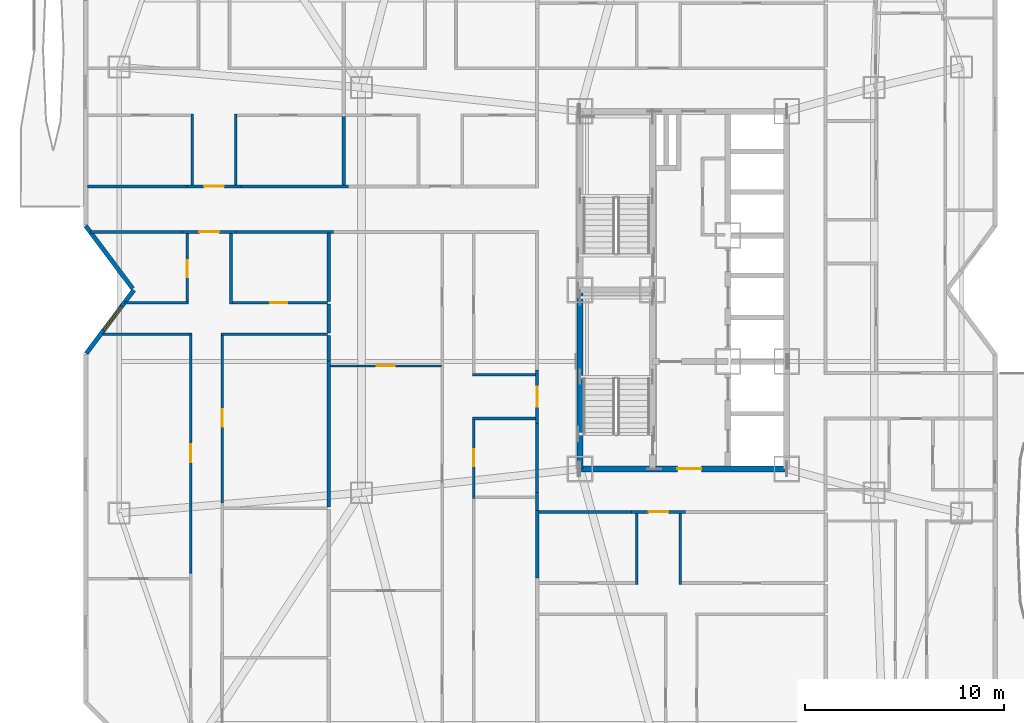
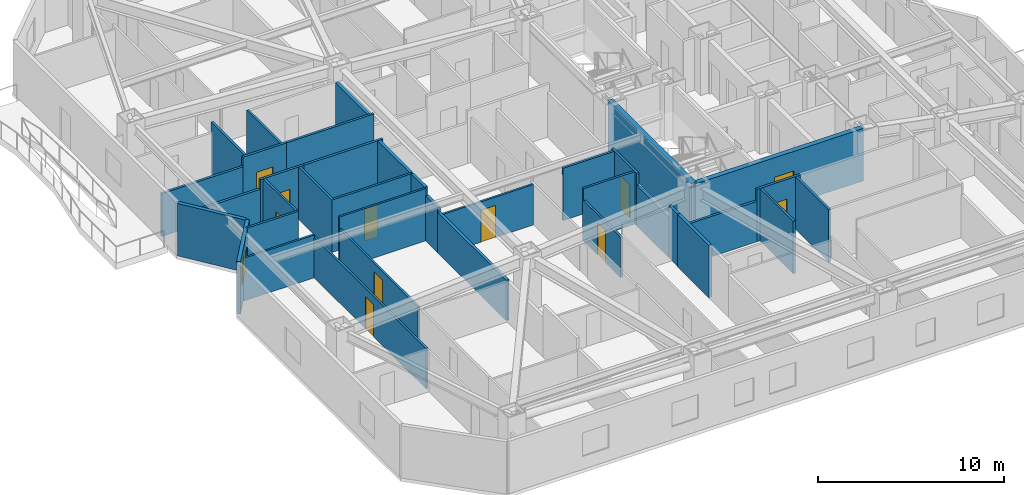
# One storey, part 9 of 16: 37 walls, 11 doors, 1 window, 12 openings.
"""IFC4 building model written with IfcOpenShell, lengths in metres."""

from ifc_helpers import new_model, si_unit, direction, frame, frame_2d, origin, place, context, subcontext, project, spatial, rectangle, extrude, material, layer, layer_set, type_object, element, fill, save


model = new_model("IFC4")

# Units and contexts
model_context = context("Model", 3, precision=1e-05, world=origin(), true_north=direction((0.0, 1.0)))
body_context = subcontext(model_context, "Body", "Model", "MODEL_VIEW")
ifc_project = project(units=[si_unit("LENGTHUNIT", "METRE"), si_unit("AREAUNIT", "SQUARE_METRE"), si_unit("VOLUMEUNIT", "CUBIC_METRE"), si_unit("PLANEANGLEUNIT", "RADIAN"), si_unit("MASSUNIT", "GRAM", prefix="KILO")], contexts=[model_context])

# Site, building, storey
site_placement = place(None, origin())
site = spatial("IfcSite", under=ifc_project, at=site_placement, CompositionType="ELEMENT")
building_placement = place(site_placement, origin())
building = spatial("IfcBuilding", under=site, at=building_placement, Name="Khamvora Tower", CompositionType="ELEMENT")
storey_placement = place(building_placement, frame((0.0, 0.0, 55.199951171875)))
storey = spatial("IfcBuildingStorey", under=building, at=storey_placement, Name="L13", CompositionType="ELEMENT", Elevation=55.199951171875)

# Wall
ifc_material_1 = material(Name="Concrete C50/60", Category="concrete")
ifc_layer_1 = layer(ifc_material_1, 0.300048828125)
ifc_layer_set_1 = layer_set([ifc_layer_1], Name="Concrete C50/60")
wall_type_1 = type_object("IfcWallType", Name="WAL-CORE-300", PredefinedType="SHEAR", material=ifc_layer_set_1)
wall_1_placement = place(storey_placement, frame((29.0, 19.0, 0.0), z_axis=(0.0, 0.0, 1.0), x_axis=(0.0, 1.0, 0.0)))
element("IfcWall", 1, at=wall_1_placement, inside=storey, type_object=wall_type_1, Name="L13 central core west south wall", PredefinedType="SHEAR", context=body_context, shape_type="SweptSolid", body=[
    extrude(rectangle(XDim=9.0, YDim=0.300048828125, at=frame_2d((4.5, 0.0))), origin(), (0.0, 0.0, 1.0), 3.429931640625),
])

# Wall, opening, door
wall_2_placement = place(storey_placement, frame((29.0, 19.0, 0.0), z_axis=(0.0, 0.0, 1.0), x_axis=(1.0, 0.0, 0.0)))
wall_2 = element("IfcWall", 2, at=wall_2_placement, inside=storey, type_object=wall_type_1, Name="L13 central core south wall", PredefinedType="SHEAR", context=body_context, shape_type="SweptSolid", body=[
    extrude(rectangle(XDim=10.39990234375, YDim=0.300048828125, at=frame_2d((5.199951171875, 0.0))), origin(), (0.0, 0.0, 1.0), 3.429931640625),
])
opening_1_placement = place(wall_2_placement, frame((4.89990234375, 0.0, 0.0)))
opening_1 = element("IfcOpeningElement", 3, at=opening_1_placement, cuts=wall_2, Name="Opening D-CR1", PredefinedType="OPENING", context=body_context, shape_type="SweptSolid", body=[
    extrude(rectangle(XDim=1.199951171875, YDim=2.14990234375, at=frame_2d((0.60009765625, 1.074951171875))), frame((0.0, 0.159912109375, 0.0), z_axis=(0.0, -1.0, 0.0), x_axis=(1.0, 0.0, 0.0)), (0.0, 0.0, 1.0), 0.320068359375),
])
ifc_material_2 = material(Name="Powder-Coated Steel and Hardwood Leaf", Category="steel")
door_type_1 = type_object("IfcDoorType", Name="DOR-CORR-1200", OperationType="NOTDEFINED", PredefinedType="DOOR", material=ifc_material_2)
door_1_placement = place(opening_1_placement, origin())
door_1 = element("IfcDoor", 4, at=door_1_placement, inside=storey, type_object=door_type_1, Name="L13 south core lobby to corridor fire door", OperationType="SINGLE_SWING_LEFT", OverallHeight=2.14990234375, OverallWidth=1.199951171875, PredefinedType="DOOR", context=body_context, shape_type="SweptSolid", body=[
    extrude(rectangle(XDim=1.199951171875, YDim=2.14990234375, at=frame_2d((0.60009765625, 1.074951171875))), frame((0.0, 0.02490234375, 0.0), z_axis=(0.0, -1.0, 0.0), x_axis=(1.0, 0.0, 0.0)), (0.0, 0.0, 1.0), 0.050048828125),
])
fill(opening_1, door_1)

ifc_material_3 = material(Name="Fire-Rated Drywall and Steel Stud", Category="steel")
ifc_layer_2 = layer(ifc_material_3, 0.14990234375)
ifc_layer_set_2 = layer_set([ifc_layer_2], Name="Fire-Rated Drywall and Steel Stud")
wall_type_2 = type_object("IfcWallType", Name="WAL-CORR-150", PredefinedType="STANDARD", material=ifc_layer_set_2)
wall_3_placement = place(storey_placement, frame((11.681884765625, 30.93505859375, 0.0), z_axis=(0.0, 0.0, 1.0), x_axis=(-1.0, 0.0, 0.0)))
wall_3 = element("IfcWall", 5, at=wall_3_placement, inside=storey, type_object=wall_type_2, Name="L13 interior partition wall 004", PredefinedType="STANDARD", context=body_context, shape_type="SweptSolid", body=[
    extrude(rectangle(XDim=2.697998046875, YDim=0.14990234375, at=frame_2d((1.34912109375, 0.0))), origin(), (0.0, 0.0, 1.0), 3.429931640625),
])
opening_2_placement = place(wall_3_placement, frame((0.84912109375, 0.0, 0.0)))
opening_2 = element("IfcOpeningElement", 6, at=opening_2_placement, cuts=wall_3, Name="Opening D-U1", PredefinedType="OPENING", context=body_context, shape_type="SweptSolid", body=[
    extrude(rectangle(XDim=1.0, YDim=2.14990234375, at=frame_2d((0.5, 1.074951171875))), frame((0.0, 0.0849609375, 0.0), z_axis=(0.0, -1.0, 0.0), x_axis=(1.0, 0.0, 0.0)), (0.0, 0.0, 1.0), 0.169921875),
])
door_type_2 = type_object("IfcDoorType", Name="DOR-UNIT-1000", OperationType="NOTDEFINED", PredefinedType="DOOR", material=ifc_material_2)
door_2_placement = place(opening_2_placement, origin())
door_2 = element("IfcDoor", 7, at=door_2_placement, inside=storey, type_object=door_type_2, Name="L13 interior door COR-13WA1H", OperationType="SINGLE_SWING_RIGHT", OverallHeight=2.14990234375, OverallWidth=1.0, PredefinedType="DOOR", context=body_context, shape_type="SweptSolid", body=[
    extrude(rectangle(XDim=1.0, YDim=2.14990234375, at=frame_2d((0.5, 1.074951171875))), frame((0.0, 0.02490234375, 0.0), z_axis=(0.0, -1.0, 0.0), x_axis=(1.0, 0.0, 0.0)), (0.0, 0.0, 1.0), 0.050048828125),
])
fill(opening_2, door_2)

# Walls
wall_4_placement = place(storey_placement, frame((8.98388671875, 30.93505859375, 0.0), z_axis=(0.0, 0.0, 1.0), x_axis=(-1.0, 0.0, 0.0)))
element("IfcWall", 8, at=wall_4_placement, inside=storey, type_object=wall_type_2, Name="L13 interior partition wall 005", PredefinedType="STANDARD", context=body_context, shape_type="SweptSolid", body=[
    extrude(rectangle(XDim=4.634765625, YDim=0.14990234375, at=frame_2d((2.3173828125, 0.0))), origin(), (0.0, 0.0, 1.0), 2.802978515625),
])
wall_5_placement = place(storey_placement, frame((16.595947265625, 30.93505859375, 0.0), z_axis=(0.0, 0.0, 1.0), x_axis=(-1.0, 0.0, 0.0)))
element("IfcWall", 9, at=wall_5_placement, inside=storey, type_object=wall_type_2, Name="L13 interior partition wall 006", PredefinedType="STANDARD", context=body_context, shape_type="SweptSolid", body=[
    extrude(rectangle(XDim=4.9140625, YDim=0.14990234375, at=frame_2d((2.45703125, 0.0))), origin(), (0.0, 0.0, 1.0), 3.429931640625),
])
wall_6_placement = place(storey_placement, frame((26.8349609375, 16.89990234375, 0.0), z_axis=(0.0, 0.0, 1.0), x_axis=(0.0, 1.0, 0.0)))
element("IfcWall", 10, at=wall_6_placement, inside=storey, type_object=wall_type_2, Name="L13 interior partition wall 007", PredefinedType="STANDARD", context=body_context, shape_type="SweptSolid", body=[
    extrude(rectangle(XDim=0.918212890625, YDim=0.14990234375, at=frame_2d((0.458984375, 0.0))), origin(), (0.0, 0.0, 1.0), 3.429931640625),
])

# Wall, opening, door
wall_7_placement = place(storey_placement, frame((26.8349609375, 21.284912109375, 0.0), z_axis=(0.0, 0.0, 1.0), x_axis=(0.0, 1.0, 0.0)))
wall_7 = element("IfcWall", 11, at=wall_7_placement, inside=storey, type_object=wall_type_2, Name="L13 interior partition wall 008", PredefinedType="STANDARD", context=body_context, shape_type="SweptSolid", body=[
    extrude(rectangle(XDim=2.697998046875, YDim=0.14990234375, at=frame_2d((1.34912109375, 0.0))), origin(), (0.0, 0.0, 1.0), 3.429931640625),
])
opening_3_placement = place(wall_7_placement, frame((0.84912109375, 0.0, 0.0)))
opening_3 = element("IfcOpeningElement", 12, at=opening_3_placement, cuts=wall_7, Name="Opening D-U1", PredefinedType="OPENING", context=body_context, shape_type="SweptSolid", body=[
    extrude(rectangle(XDim=1.0, YDim=2.14990234375, at=frame_2d((0.5, 1.074951171875))), frame((0.0, 0.0849609375, 0.0), z_axis=(0.0, -1.0, 0.0), x_axis=(1.0, 0.0, 0.0)), (0.0, 0.0, 1.0), 0.169921875),
])
door_3_placement = place(opening_3_placement, origin())
door_3 = element("IfcDoor", 13, at=door_3_placement, inside=storey, type_object=door_type_2, Name="L13 interior door COR-13WA2H", OperationType="SINGLE_SWING_LEFT", OverallHeight=2.14990234375, OverallWidth=1.0, PredefinedType="DOOR", context=body_context, shape_type="SweptSolid", body=[
    extrude(rectangle(XDim=1.0, YDim=2.14990234375, at=frame_2d((0.5, 1.074951171875))), frame((0.0, 0.02490234375, 0.0), z_axis=(0.0, -1.0, 0.0), x_axis=(1.0, 0.0, 0.0)), (0.0, 0.0, 1.0), 0.050048828125),
])
fill(opening_3, door_3)

# Wall
wall_8_placement = place(storey_placement, frame((26.8349609375, 17.818115234375, 0.0), z_axis=(0.0, 0.0, 1.0), x_axis=(0.0, 1.0, 0.0)))
element("IfcWall", 14, at=wall_8_placement, inside=storey, type_object=wall_type_2, Name="L13 interior partition wall 010", PredefinedType="STANDARD", context=body_context, shape_type="SweptSolid", body=[
    extrude(rectangle(XDim=3.466796875, YDim=0.14990234375, at=frame_2d((1.7333984375, 0.0))), origin(), (0.0, 0.0, 1.0), 2.64697265625),
])

# Wall, opening, door
wall_9_placement = place(storey_placement, frame((9.22607421875, 33.215087890625, 0.0), z_axis=(0.0, 0.0, 1.0), x_axis=(1.0, 0.0, 0.0)))
wall_9 = element("IfcWall", 15, at=wall_9_placement, inside=storey, type_object=wall_type_2, Name="L13 interior partition wall 014", PredefinedType="STANDARD", context=body_context, shape_type="SweptSolid", body=[
    extrude(rectangle(XDim=2.697998046875, YDim=0.14990234375, at=frame_2d((1.34912109375, 0.0))), origin(), (0.0, 0.0, 1.0), 3.429931640625),
])
opening_4_placement = place(wall_9_placement, frame((0.84912109375, 0.0, 0.0)))
opening_4 = element("IfcOpeningElement", 16, at=opening_4_placement, cuts=wall_9, Name="Opening D-U1", PredefinedType="OPENING", context=body_context, shape_type="SweptSolid", body=[
    extrude(rectangle(XDim=1.0, YDim=2.14990234375, at=frame_2d((0.5, 1.074951171875))), frame((0.0, 0.0849609375, 0.0), z_axis=(0.0, -1.0, 0.0), x_axis=(1.0, 0.0, 0.0)), (0.0, 0.0, 1.0), 0.169921875),
])
door_4_placement = place(opening_4_placement, origin())
door_4 = element("IfcDoor", 17, at=door_4_placement, inside=storey, type_object=door_type_2, Name="L13 interior door COR-13WBH", OperationType="SINGLE_SWING_RIGHT", OverallHeight=2.14990234375, OverallWidth=1.0, PredefinedType="DOOR", context=body_context, shape_type="SweptSolid", body=[
    extrude(rectangle(XDim=1.0, YDim=2.14990234375, at=frame_2d((0.5, 1.074951171875))), frame((0.0, 0.02490234375, 0.0), z_axis=(0.0, -1.0, 0.0), x_axis=(1.0, 0.0, 0.0)), (0.0, 0.0, 1.0), 0.050048828125),
])
fill(opening_4, door_4)

# Walls
wall_10_placement = place(storey_placement, frame((4.2119140625, 33.215087890625, 0.0), z_axis=(0.0, 0.0, 1.0), x_axis=(1.0, 0.0, 0.0)))
element("IfcWall", 18, at=wall_10_placement, inside=storey, type_object=wall_type_2, Name="L13 interior partition wall 015", PredefinedType="STANDARD", context=body_context, shape_type="SweptSolid", body=[
    extrude(rectangle(XDim=5.01416015625, YDim=0.14990234375, at=frame_2d((2.507080078125, 0.0))), origin(), (0.0, 0.0, 1.0), 2.802978515625),
])
wall_11_placement = place(storey_placement, frame((11.924072265625, 33.215087890625, 0.0), z_axis=(0.0, 0.0, 1.0), x_axis=(1.0, 0.0, 0.0)))
element("IfcWall", 19, at=wall_11_placement, inside=storey, type_object=wall_type_2, Name="L13 interior partition wall 016", PredefinedType="STANDARD", context=body_context, shape_type="SweptSolid", body=[
    extrude(rectangle(XDim=5.429931640625, YDim=0.14990234375, at=frame_2d((2.71484375, 0.0))), origin(), (0.0, 0.0, 1.0), 3.429931640625),
])

# Wall, opening, door
wall_12_placement = place(storey_placement, frame((34.299072265625, 16.8349609375, 0.0), z_axis=(0.0, 0.0, 1.0), x_axis=(-1.0, 0.0, 0.0)))
wall_12 = element("IfcWall", 20, at=wall_12_placement, inside=storey, type_object=wall_type_2, Name="L13 interior partition wall 022", PredefinedType="STANDARD", context=body_context, shape_type="SweptSolid", body=[
    extrude(rectangle(XDim=2.697998046875, YDim=0.14990234375, at=frame_2d((1.34912109375, 0.0))), origin(), (0.0, 0.0, 1.0), 3.429931640625),
])
opening_5_placement = place(wall_12_placement, frame((0.84912109375, 0.0, 0.0)))
opening_5 = element("IfcOpeningElement", 21, at=opening_5_placement, cuts=wall_12, Name="Opening D-U1", PredefinedType="OPENING", context=body_context, shape_type="SweptSolid", body=[
    extrude(rectangle(XDim=1.0, YDim=2.14990234375, at=frame_2d((0.5, 1.074951171875))), frame((0.0, 0.0849609375, 0.0), z_axis=(0.0, -1.0, 0.0), x_axis=(1.0, 0.0, 0.0)), (0.0, 0.0, 1.0), 0.169921875),
])
door_5_placement = place(opening_5_placement, origin())
door_5 = element("IfcDoor", 22, at=door_5_placement, inside=storey, type_object=door_type_2, Name="L13 interior door COR-13SAH", OperationType="SINGLE_SWING_RIGHT", OverallHeight=2.14990234375, OverallWidth=1.0, PredefinedType="DOOR", context=body_context, shape_type="SweptSolid", body=[
    extrude(rectangle(XDim=1.0, YDim=2.14990234375, at=frame_2d((0.5, 1.074951171875))), frame((0.0, 0.02490234375, 0.0), z_axis=(0.0, -1.0, 0.0), x_axis=(1.0, 0.0, 0.0)), (0.0, 0.0, 1.0), 0.050048828125),
])
fill(opening_5, door_5)

# Walls
wall_13_placement = place(storey_placement, frame((31.60107421875, 16.8349609375, 0.0), z_axis=(0.0, 0.0, 1.0), x_axis=(-1.0, 0.0, 0.0)))
element("IfcWall", 23, at=wall_13_placement, inside=storey, type_object=wall_type_2, Name="L13 interior partition wall 023", PredefinedType="STANDARD", context=body_context, shape_type="SweptSolid", body=[
    extrude(rectangle(XDim=4.701171875, YDim=0.14990234375, at=frame_2d((2.3505859375, 0.0))), origin(), (0.0, 0.0, 1.0), 2.64697265625),
])
ifc_material_4 = material(Name="Acoustic Double-Stud Fire Wall", Category="gypsum")
ifc_layer_3 = layer(ifc_material_4, 0.179931640625)
ifc_layer_set_3 = layer_set([ifc_layer_3], Name="Acoustic Double-Stud Fire Wall")
wall_type_3 = type_object("IfcWallType", Name="WAL-CORR-180", PredefinedType="STANDARD", material=ifc_layer_set_3)
wall_14_placement = place(storey_placement, frame((16.345947265625, 27.2900390625, 0.0), z_axis=(0.0, 0.0, 1.0), x_axis=(0.0, -1.0, 0.0)))
element("IfcWall", 24, at=wall_14_placement, inside=storey, type_object=wall_type_3, Name="L13 interior partition wall 051", PredefinedType="STANDARD", context=body_context, shape_type="SweptSolid", body=[
    extrude(rectangle(XDim=1.449951171875, YDim=0.179931640625, at=frame_2d((0.72509765625, 0.0))), origin(), (0.0, 0.0, 1.0), 3.429931640625),
])
wall_15_placement = place(storey_placement, frame((16.345947265625, 30.867919921875, 0.0), z_axis=(0.0, 0.0, 1.0), x_axis=(0.0, -1.0, 0.0)))
element("IfcWall", 25, at=wall_15_placement, inside=storey, type_object=wall_type_3, Name="L13 interior partition wall 052", PredefinedType="STANDARD", context=body_context, shape_type="SweptSolid", body=[
    extrude(rectangle(XDim=3.447998046875, YDim=0.179931640625, at=frame_2d((1.72412109375, 0.0))), origin(), (0.0, 0.0, 1.0), 3.429931640625),
])
wall_16_placement = place(storey_placement, frame((16.345947265625, 24.429931640625, 0.0), z_axis=(0.0, 0.0, 1.0), x_axis=(0.0, -1.0, 0.0)))
element("IfcWall", 26, at=wall_16_placement, inside=storey, type_object=wall_type_3, Name="L13 interior partition wall 059", PredefinedType="STANDARD", context=body_context, shape_type="SweptSolid", body=[
    extrude(rectangle(XDim=7.3388671875, YDim=0.179931640625, at=frame_2d((3.66943359375, 0.0))), origin(), (0.0, 0.0, 1.0), 2.64697265625),
])
wall_17_placement = place(storey_placement, frame((16.345947265625, 25.7099609375, 0.0), z_axis=(0.0, 0.0, 1.0), x_axis=(0.0, -1.0, 0.0)))
element("IfcWall", 27, at=wall_17_placement, inside=storey, type_object=wall_type_3, Name="L13 interior partition wall 060", PredefinedType="STANDARD", context=body_context, shape_type="SweptSolid", body=[
    extrude(rectangle(XDim=1.280029296875, YDim=0.179931640625, at=frame_2d((0.64013671875, 0.0))), origin(), (0.0, 0.0, 1.0), 2.95703125),
])
wall_18_placement = place(storey_placement, frame((26.8349609375, 16.89990234375, 0.0), z_axis=(0.0, 0.0, 1.0), x_axis=(0.0, -1.0, 0.0)))
element("IfcWall", 28, at=wall_18_placement, inside=storey, type_object=wall_type_3, Name="L13 interior partition wall 064", PredefinedType="STANDARD", context=body_context, shape_type="SweptSolid", body=[
    extrude(rectangle(XDim=3.39599609375, YDim=0.179931640625, at=frame_2d((1.697998046875, 0.0))), origin(), (0.0, 0.0, 1.0), 3.429931640625),
])
wall_19_placement = place(storey_placement, frame((17.10498046875, 36.72998046875, 0.0), z_axis=(0.0, 0.0, 1.0), x_axis=(0.0, -1.0, 0.0)))
element("IfcWall", 29, at=wall_19_placement, inside=storey, type_object=wall_type_3, Name="L13 interior partition wall 086", PredefinedType="STANDARD", context=body_context, shape_type="SweptSolid", body=[
    extrude(rectangle(XDim=3.447998046875, YDim=0.179931640625, at=frame_2d((1.72412109375, 0.0))), origin(), (0.0, 0.0, 1.0), 3.429931640625),
])

# Wall, opening, window
ifc_material_5 = material(Name="Precast concrete C40/50", Category="concrete")
ifc_layer_4 = layer(ifc_material_5, 0.219970703125)
ifc_layer_set_4 = layer_set([ifc_layer_4], Name="Precast concrete C40/50")
wall_type_4 = type_object("IfcWallType", Name="WAL-EXT-220", PredefinedType="STANDARD", material=ifc_layer_set_4)
wall_20_placement = place(storey_placement, frame((4.14501953125, 24.80908203125, 0.0), z_axis=(0.0, 0.0, 1.0), x_axis=(0.599823674734, 0.800132213592, 0.0)))
wall_20 = element("IfcWall", 30, at=wall_20_placement, inside=storey, type_object=wall_type_4, Name="L13 exterior facade wall 03.1", PredefinedType="STANDARD", context=body_context, shape_type="SweptSolid", body=[
    extrude(rectangle(XDim=3.988037109375, YDim=0.219970703125, at=frame_2d((1.994140625, 0.0))), origin(), (0.0, 0.0, 1.0), 3.429931640625),
])
opening_6_placement = place(wall_20_placement, frame((1.464111328125, 0.0, 0.85009765625)))
opening_6 = element("IfcOpeningElement", 31, at=opening_6_placement, cuts=wall_20, Name="Opening WN-02", PredefinedType="OPENING", context=body_context, shape_type="SweptSolid", body=[
    extrude(rectangle(XDim=1.5, YDim=1.60009765625, at=frame_2d((0.75, 0.800048828125))), frame((0.0, 0.119873046875, 0.0), z_axis=(0.0, -1.0, 0.0), x_axis=(1.0, 0.0, 0.0)), (0.0, 0.0, 1.0), 0.239990234375),
])
ifc_material_6 = material(Name="Low-E Laminated Double Glazing", Category="glass")
window_type = type_object("IfcWindowType", Name="WIN-VIS-1500x1600", PartitioningType="SINGLE_PANEL", PredefinedType="WINDOW", material=ifc_material_6)
window_placement = place(opening_6_placement, origin())
window = element("IfcWindow", 32, at=window_placement, inside=storey, type_object=window_type, Name="L13 vision window 03.1.01", OverallHeight=1.60009765625, OverallWidth=1.5, PartitioningType="SINGLE_PANEL", PredefinedType="WINDOW", context=body_context, shape_type="SweptSolid", body=[
    extrude(rectangle(XDim=1.5, YDim=1.60009765625, at=frame_2d((0.75, 0.800048828125))), frame((0.0, 0.030029296875, 0.0), z_axis=(0.0, -1.0, 0.0), x_axis=(1.0, 0.0, 0.0)), (0.0, 0.0, 1.0), 0.06005859375),
])
fill(opening_6, window)

# Wall
wall_21_placement = place(storey_placement, frame((6.47998046875, 28.076904296875, 0.0), z_axis=(0.0, 0.0, 1.0), x_axis=(-0.599960442794, 0.800029666377, 0.0)))
element("IfcWall", 33, at=wall_21_placement, inside=storey, type_object=wall_type_4, Name="L13 exterior facade wall 04.1", PredefinedType="STANDARD", context=body_context, shape_type="SweptSolid", body=[
    extrude(rectangle(XDim=3.949951171875, YDim=0.219970703125, at=frame_2d((1.97509765625, 0.0))), origin(), (0.0, 0.0, 1.0), 3.429931640625),
])

# Wall, opening, door
ifc_material_7 = material(Name="Gypsum Plasterboard Partition", Category="gypsum")
ifc_layer_5 = layer(ifc_material_7, 0.1201171875)
ifc_layer_set_5 = layer_set([ifc_layer_5], Name="Gypsum Plasterboard Partition")
wall_type_5 = type_object("IfcWallType", Name="WAL-PART-120", PredefinedType="PARTITIONING", material=ifc_layer_set_5)
wall_22_placement = place(storey_placement, frame((9.410888671875, 13.72509765625, 0.0), z_axis=(0.0, 0.0, 1.0), x_axis=(0.0, 1.0, 0.0)))
wall_22 = element("IfcWall", 34, at=wall_22_placement, inside=storey, type_object=wall_type_5, Name="L13 interior partition wall 045", PredefinedType="PARTITIONING", context=body_context, shape_type="SweptSolid", body=[
    extrude(rectangle(XDim=12.114990234375, YDim=0.1201171875, at=frame_2d((6.0576171875, 0.0))), origin(), (0.0, 0.0, 1.0), 2.64697265625),
])
opening_7_placement = place(wall_22_placement, frame((5.60693359375, 0.0, 0.0)))
opening_7 = element("IfcOpeningElement", 35, at=opening_7_placement, cuts=wall_22, Name="Opening D-RM1", PredefinedType="OPENING", context=body_context, shape_type="SweptSolid", body=[
    extrude(rectangle(XDim=0.89990234375, YDim=2.10009765625, at=frame_2d((0.449951171875, 1.050048828125))), frame((0.0, 0.070068359375, 0.0), z_axis=(0.0, -1.0, 0.0), x_axis=(1.0, 0.0, 0.0)), (0.0, 0.0, 1.0), 0.14013671875),
])
door_type_3 = type_object("IfcDoorType", Name="DOR-ROOM-900", OperationType="NOTDEFINED", PredefinedType="DOOR", material=ifc_material_2)
door_6_placement = place(opening_7_placement, origin())
door_6 = element("IfcDoor", 36, at=door_6_placement, inside=storey, type_object=door_type_3, Name="L13 interior door 13WA1H-13WA1R2", OperationType="SINGLE_SWING_LEFT", OverallHeight=2.10009765625, OverallWidth=0.89990234375, PredefinedType="DOOR", context=body_context, shape_type="SweptSolid", body=[
    extrude(rectangle(XDim=0.89990234375, YDim=2.10009765625, at=frame_2d((0.449951171875, 1.050048828125))), frame((0.0, 0.02490234375, 0.0), z_axis=(0.0, -1.0, 0.0), x_axis=(1.0, 0.0, 0.0)), (0.0, 0.0, 1.0), 0.050048828125),
])
fill(opening_7, door_6)

# Walls
wall_23_placement = place(storey_placement, frame((9.35693359375, 25.77490234375, 0.0), z_axis=(0.0, 0.0, 1.0), x_axis=(-1.0, 0.0, 0.0)))
element("IfcWall", 37, at=wall_23_placement, inside=storey, type_object=wall_type_5, Name="L13 interior partition wall 046", PredefinedType="PARTITIONING", context=body_context, shape_type="SweptSolid", body=[
    extrude(rectangle(XDim=4.3759765625, YDim=0.1201171875, at=frame_2d((2.18798828125, 0.0))), origin(), (0.0, 0.0, 1.0), 2.802978515625),
])
wall_24_placement = place(storey_placement, frame((16.281005859375, 25.77490234375, 0.0), z_axis=(0.0, 0.0, 1.0), x_axis=(-1.0, 0.0, 0.0)))
element("IfcWall", 38, at=wall_24_placement, inside=storey, type_object=wall_type_5, Name="L13 interior partition wall 049", PredefinedType="PARTITIONING", context=body_context, shape_type="SweptSolid", body=[
    extrude(rectangle(XDim=5.364990234375, YDim=0.1201171875, at=frame_2d((2.6826171875, 0.0))), origin(), (0.0, 0.0, 1.0), 3.429931640625),
])

# Wall, opening, door
wall_25_placement = place(storey_placement, frame((10.98095703125, 25.840087890625, 0.0), z_axis=(0.0, 0.0, 1.0), x_axis=(0.0, -1.0, 0.0)))
wall_25 = element("IfcWall", 39, at=wall_25_placement, inside=storey, type_object=wall_type_5, Name="L13 interior partition wall 050", PredefinedType="PARTITIONING", context=body_context, shape_type="SweptSolid", body=[
    extrude(rectangle(XDim=8.565185546875, YDim=0.1201171875, at=frame_2d((4.28271484375, 0.0))), origin(), (0.0, 0.0, 1.0), 2.64697265625),
])
opening_8_placement = place(wall_25_placement, frame((3.83203125, 0.0, 0.0)))
opening_8 = element("IfcOpeningElement", 40, at=opening_8_placement, cuts=wall_25, Name="Opening D-RM1", PredefinedType="OPENING", context=body_context, shape_type="SweptSolid", body=[
    extrude(rectangle(XDim=0.89990234375, YDim=2.10009765625, at=frame_2d((0.449951171875, 1.050048828125))), frame((0.0, 0.070068359375, 0.0), z_axis=(0.0, -1.0, 0.0), x_axis=(1.0, 0.0, 0.0)), (0.0, 0.0, 1.0), 0.14013671875),
])
door_7_placement = place(opening_8_placement, origin())
door_7 = element("IfcDoor", 41, at=door_7_placement, inside=storey, type_object=door_type_3, Name="L13 interior door 13WA1H-13WA1R5", OperationType="SINGLE_SWING_RIGHT", OverallHeight=2.10009765625, OverallWidth=0.89990234375, PredefinedType="DOOR", context=body_context, shape_type="SweptSolid", body=[
    extrude(rectangle(XDim=0.89990234375, YDim=2.10009765625, at=frame_2d((0.449951171875, 1.050048828125))), frame((0.0, 0.02490234375, 0.0), z_axis=(0.0, -1.0, 0.0), x_axis=(1.0, 0.0, 0.0)), (0.0, 0.0, 1.0), 0.050048828125),
])
fill(opening_8, door_7)

wall_26_placement = place(storey_placement, frame((16.427978515625, 24.180908203125, 0.0), z_axis=(0.0, 0.0, 1.0), x_axis=(1.0, 0.0, 0.0)))
wall_26 = element("IfcWall", 42, at=wall_26_placement, inside=storey, type_object=wall_type_5, Name="L13 interior partition wall 074", PredefinedType="PARTITIONING", context=body_context, shape_type="SweptSolid", body=[
    extrude(rectangle(XDim=5.588134765625, YDim=0.1201171875, at=frame_2d((2.7939453125, 0.0))), origin(), (0.0, 0.0, 1.0), 2.64697265625),
])
opening_9_placement = place(wall_26_placement, frame((2.343994140625, 0.0, 0.0)))
opening_9 = element("IfcOpeningElement", 43, at=opening_9_placement, cuts=wall_26, Name="Opening D-RM1", PredefinedType="OPENING", context=body_context, shape_type="SweptSolid", body=[
    extrude(rectangle(XDim=0.89990234375, YDim=2.10009765625, at=frame_2d((0.449951171875, 1.050048828125))), frame((0.0, 0.070068359375, 0.0), z_axis=(0.0, -1.0, 0.0), x_axis=(1.0, 0.0, 0.0)), (0.0, 0.0, 1.0), 0.14013671875),
])
door_8_placement = place(opening_9_placement, origin())
door_8 = element("IfcDoor", 44, at=door_8_placement, inside=storey, type_object=door_type_3, Name="L13 interior door 13WA2R2-13WA2R3", OperationType="SINGLE_SWING_LEFT", OverallHeight=2.10009765625, OverallWidth=0.89990234375, PredefinedType="DOOR", context=body_context, shape_type="SweptSolid", body=[
    extrude(rectangle(XDim=0.89990234375, YDim=2.10009765625, at=frame_2d((0.449951171875, 1.050048828125))), frame((0.0, 0.02490234375, 0.0), z_axis=(0.0, -1.0, 0.0), x_axis=(1.0, 0.0, 0.0)), (0.0, 0.0, 1.0), 0.050048828125),
])
fill(opening_9, door_8)

# Wall
ifc_material_8 = material(Name="Moisture-Resistant Plasterboard Partition", Category="gypsum")
ifc_layer_6 = layer(ifc_material_8, 0.135009765625)
ifc_layer_set_6 = layer_set([ifc_layer_6], Name="Moisture-Resistant Plasterboard Partition")
wall_type_6 = type_object("IfcWallType", Name="WAL-WET-135", PredefinedType="PARTITIONING", material=ifc_layer_set_6)
wall_27_placement = place(storey_placement, frame((6.068115234375, 27.35498046875, 0.0), z_axis=(0.0, 0.0, 1.0), x_axis=(1.0, 0.0, 0.0)))
element("IfcWall", 45, at=wall_27_placement, inside=storey, type_object=wall_type_6, Name="L13 interior partition wall 040", PredefinedType="PARTITIONING", context=body_context, shape_type="SweptSolid", body=[
    extrude(rectangle(XDim=3.22998046875, YDim=0.135009765625, at=frame_2d((1.614990234375, 0.0))), origin(), (0.0, 0.0, 1.0), 3.429931640625),
])

# Wall, opening, door
wall_28_placement = place(storey_placement, frame((9.23291015625, 27.2900390625, 0.0), z_axis=(0.0, 0.0, 1.0), x_axis=(0.0, 1.0, 0.0)))
wall_28 = element("IfcWall", 46, at=wall_28_placement, inside=storey, type_object=wall_type_6, Name="L13 interior partition wall 041", PredefinedType="PARTITIONING", context=body_context, shape_type="SweptSolid", body=[
    extrude(rectangle(XDim=3.577880859375, YDim=0.135009765625, at=frame_2d((1.7890625, 0.0))), origin(), (0.0, 0.0, 1.0), 3.429931640625),
])
opening_10_placement = place(wall_28_placement, frame((1.364013671875, 0.0, 0.0)))
opening_10 = element("IfcOpeningElement", 47, at=opening_10_placement, cuts=wall_28, Name="Opening D-WC1", PredefinedType="OPENING", context=body_context, shape_type="SweptSolid", body=[
    extrude(rectangle(XDim=0.85009765625, YDim=2.10009765625, at=frame_2d((0.425048828125, 1.050048828125))), frame((0.0, 0.077392578125, 0.0), z_axis=(0.0, -1.0, 0.0), x_axis=(1.0, 0.0, 0.0)), (0.0, 0.0, 1.0), 0.155029296875),
])
door_type_4 = type_object("IfcDoorType", Name="DOR-WET-850", OperationType="NOTDEFINED", PredefinedType="DOOR", material=ifc_material_2)
door_9_placement = place(opening_10_placement, origin())
door_9 = element("IfcDoor", 48, at=door_9_placement, inside=storey, type_object=door_type_4, Name="L13 interior door 13WA1H-13WA1B", OperationType="SINGLE_SWING_RIGHT", OverallHeight=2.10009765625, OverallWidth=0.85009765625, PredefinedType="DOOR", context=body_context, shape_type="SweptSolid", body=[
    extrude(rectangle(XDim=0.85009765625, YDim=2.10009765625, at=frame_2d((0.425048828125, 1.050048828125))), frame((0.0, 0.02490234375, 0.0), z_axis=(0.0, -1.0, 0.0), x_axis=(1.0, 0.0, 0.0)), (0.0, 0.0, 1.0), 0.050048828125),
])
fill(opening_10, door_9)

# Wall
wall_29_placement = place(storey_placement, frame((11.43310546875, 30.867919921875, 0.0), z_axis=(0.0, 0.0, 1.0), x_axis=(0.0, -1.0, 0.0)))
element("IfcWall", 49, at=wall_29_placement, inside=storey, type_object=wall_type_6, Name="L13 interior partition wall 042", PredefinedType="PARTITIONING", context=body_context, shape_type="SweptSolid", body=[
    extrude(rectangle(XDim=3.577880859375, YDim=0.135009765625, at=frame_2d((1.7890625, 0.0))), origin(), (0.0, 0.0, 1.0), 3.429931640625),
])

# Wall, opening, door
wall_30_placement = place(storey_placement, frame((11.367919921875, 27.35498046875, 0.0), z_axis=(0.0, 0.0, 1.0), x_axis=(1.0, 0.0, 0.0)))
wall_30 = element("IfcWall", 50, at=wall_30_placement, inside=storey, type_object=wall_type_6, Name="L13 interior partition wall 043", PredefinedType="PARTITIONING", context=body_context, shape_type="SweptSolid", body=[
    extrude(rectangle(XDim=4.9130859375, YDim=0.135009765625, at=frame_2d((2.45654296875, 0.0))), origin(), (0.0, 0.0, 1.0), 3.429931640625),
])
opening_11_placement = place(wall_30_placement, frame((2.031982421875, 0.0, 0.0)))
opening_11 = element("IfcOpeningElement", 51, at=opening_11_placement, cuts=wall_30, Name="Opening D-RM2", PredefinedType="OPENING", context=body_context, shape_type="SweptSolid", body=[
    extrude(rectangle(XDim=0.85009765625, YDim=2.10009765625, at=frame_2d((0.425048828125, 1.050048828125))), frame((0.0, 0.077392578125, 0.0), z_axis=(0.0, -1.0, 0.0), x_axis=(1.0, 0.0, 0.0)), (0.0, 0.0, 1.0), 0.155029296875),
])
door_type_5 = type_object("IfcDoorType", Name="DOR-ROOM-850", OperationType="NOTDEFINED", PredefinedType="DOOR", material=ifc_material_2)
door_10_placement = place(opening_11_placement, origin())
door_10 = element("IfcDoor", 52, at=door_10_placement, inside=storey, type_object=door_type_5, Name="L13 interior door 13WA1H-13WA1K", OperationType="SINGLE_SWING_LEFT", OverallHeight=2.10009765625, OverallWidth=0.85009765625, PredefinedType="DOOR", context=body_context, shape_type="SweptSolid", body=[
    extrude(rectangle(XDim=0.85009765625, YDim=2.10009765625, at=frame_2d((0.425048828125, 1.050048828125))), frame((0.0, 0.02490234375, 0.0), z_axis=(0.0, -1.0, 0.0), x_axis=(1.0, 0.0, 0.0)), (0.0, 0.0, 1.0), 0.050048828125),
])
fill(opening_11, door_10)

# Wall
wall_31_placement = place(storey_placement, frame((26.77001953125, 21.533935546875, 0.0), z_axis=(0.0, 0.0, 1.0), x_axis=(-1.0, 0.0, 0.0)))
element("IfcWall", 53, at=wall_31_placement, inside=storey, type_object=wall_type_6, Name="L13 interior partition wall 066", PredefinedType="PARTITIONING", context=body_context, shape_type="SweptSolid", body=[
    extrude(rectangle(XDim=3.18505859375, YDim=0.135009765625, at=frame_2d((1.592529296875, 0.0))), origin(), (0.0, 0.0, 1.0), 3.429931640625),
])

# Wall, opening, door
wall_32_placement = place(storey_placement, frame((23.64990234375, 21.59912109375, 0.0), z_axis=(0.0, 0.0, 1.0), x_axis=(0.0, -1.0, 0.0)))
wall_32 = element("IfcWall", 54, at=wall_32_placement, inside=storey, type_object=wall_type_6, Name="L13 interior partition wall 067", PredefinedType="PARTITIONING", context=body_context, shape_type="SweptSolid", body=[
    extrude(rectangle(XDim=4.09521484375, YDim=0.135009765625, at=frame_2d((2.047607421875, 0.0))), origin(), (0.0, 0.0, 1.0), 2.64697265625),
])
opening_12_placement = place(wall_32_placement, frame((1.6220703125, 0.0, 0.0)))
opening_12 = element("IfcOpeningElement", 55, at=opening_12_placement, cuts=wall_32, Name="Opening D-WC1", PredefinedType="OPENING", context=body_context, shape_type="SweptSolid", body=[
    extrude(rectangle(XDim=0.85009765625, YDim=2.10009765625, at=frame_2d((0.425048828125, 1.050048828125))), frame((0.0, 0.077392578125, 0.0), z_axis=(0.0, -1.0, 0.0), x_axis=(1.0, 0.0, 0.0)), (0.0, 0.0, 1.0), 0.155029296875),
])
door_11_placement = place(opening_12_placement, origin())
door_11 = element("IfcDoor", 56, at=door_11_placement, inside=storey, type_object=door_type_4, Name="L13 interior door 13WA2H-13WA2B", OperationType="SINGLE_SWING_LEFT", OverallHeight=2.10009765625, OverallWidth=0.85009765625, PredefinedType="DOOR", context=body_context, shape_type="SweptSolid", body=[
    extrude(rectangle(XDim=0.85009765625, YDim=2.10009765625, at=frame_2d((0.425048828125, 1.050048828125))), frame((0.0, 0.02490234375, 0.0), z_axis=(0.0, -1.0, 0.0), x_axis=(1.0, 0.0, 0.0)), (0.0, 0.0, 1.0), 0.050048828125),
])
fill(opening_12, door_11)

# Walls
wall_33_placement = place(storey_placement, frame((23.5849609375, 23.73388671875, 0.0), z_axis=(0.0, 0.0, 1.0), x_axis=(1.0, 0.0, 0.0)))
element("IfcWall", 57, at=wall_33_placement, inside=storey, type_object=wall_type_6, Name="L13 interior partition wall 069", PredefinedType="PARTITIONING", context=body_context, shape_type="SweptSolid", body=[
    extrude(rectangle(XDim=3.18505859375, YDim=0.135009765625, at=frame_2d((1.592529296875, 0.0))), origin(), (0.0, 0.0, 1.0), 3.429931640625),
])
for number, where, z_axis, x_axis, name in (
    (58, (9.47509765625, 33.281982421875, 0.0), (0.0, 0.0, 1.0), (0.0, 1.0, 0.0), "L13 interior partition wall 075"),
    (59, (11.675048828125, 36.860107421875, 0.0), (0.0, 0.0, 1.0), (0.0, -1.0, 0.0), "L13 interior partition wall 078"),
):
    element("IfcWall", number, at=place(storey_placement, frame(where, z_axis=z_axis, x_axis=x_axis)), inside=storey, type_object=wall_type_6, Name=name, PredefinedType="PARTITIONING", context=body_context, shape_type="SweptSolid", body=[
        extrude(rectangle(XDim=3.578125, YDim=0.135009765625, at=frame_2d((1.7890625, 0.0))), origin(), (0.0, 0.0, 1.0), 3.429931640625),
    ])
for number, where, z_axis, x_axis, name in (
    (60, (31.85009765625, 13.18994140625, 0.0), (0.0, 0.0, 1.0), (0.0, 1.0, 0.0), "L13 interior partition wall 103"),
    (61, (34.050048828125, 16.77001953125, 0.0), (0.0, 0.0, 1.0), (0.0, -1.0, 0.0), "L13 interior partition wall 104"),
):
    element("IfcWall", number, at=place(storey_placement, frame(where, z_axis=z_axis, x_axis=x_axis)), inside=storey, type_object=wall_type_6, Name=name, PredefinedType="PARTITIONING", context=body_context, shape_type="SweptSolid", body=[
        extrude(rectangle(XDim=3.580078125, YDim=0.135009765625, at=frame_2d((1.7900390625, 0.0))), origin(), (0.0, 0.0, 1.0), 3.429931640625),
    ])

save(model, "model.ifc")
